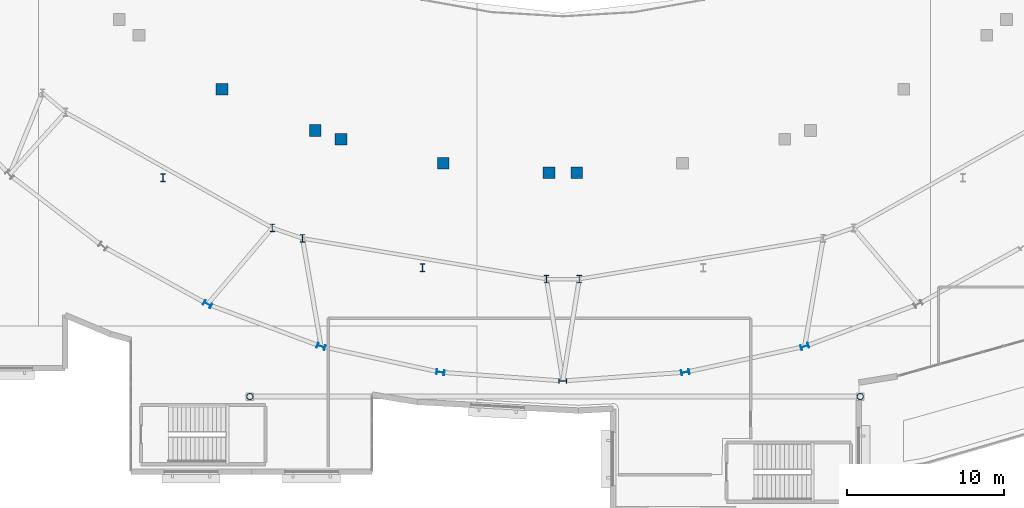
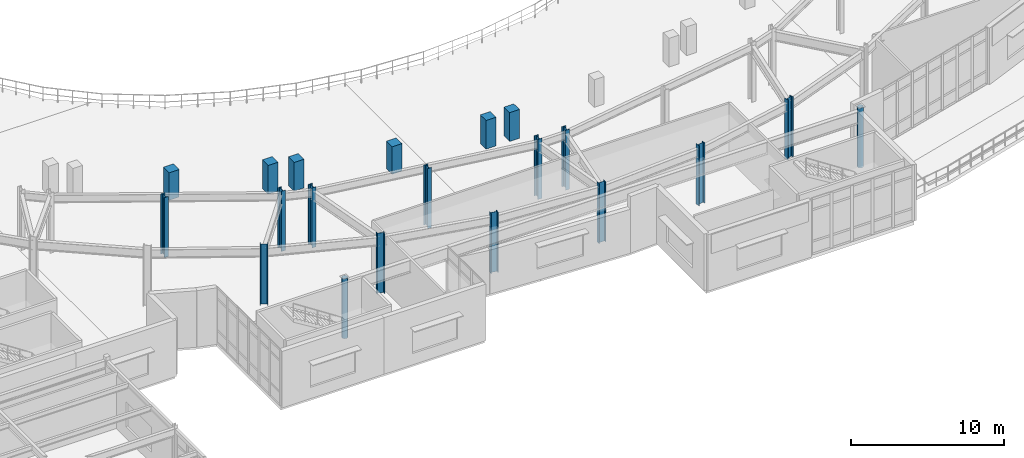
# One storey, part 5 of 84: 20 columns.
"""IFC4 building model written with IfcOpenShell, lengths in metres."""

from ifc_helpers import new_model, si_unit, direction, frame, origin, origin_2d, place, context, subcontext, project, spatial, rectangle, hollow_circle, i_section, extrude, material, material_profile, profile_set, type_object, element, save


model = new_model("IFC4")

# Units and contexts
model_context = context("Model", 3, precision=1e-05, world=origin(), true_north=direction((0.0, 1.0)))
body_context = subcontext(model_context, "Body", "Model", "MODEL_VIEW")
ifc_project = project(units=[si_unit("LENGTHUNIT", "METRE"), si_unit("AREAUNIT", "SQUARE_METRE"), si_unit("VOLUMEUNIT", "CUBIC_METRE"), si_unit("PLANEANGLEUNIT", "RADIAN"), si_unit("MASSUNIT", "GRAM", prefix="KILO")], contexts=[model_context])

# Site, building, storey
site_placement = place(None, origin())
site = spatial("IfcSite", under=ifc_project, at=site_placement, CompositionType="ELEMENT")
building_placement = place(site_placement, origin())
building = spatial("IfcBuilding", under=site, at=building_placement, Name="Glasvene Arena", CompositionType="ELEMENT")
storey_placement = place(building_placement, frame((0.0, 0.0, 10.199951171875)))
storey = spatial("IfcBuildingStorey", under=building, at=storey_placement, Name="L02", CompositionType="ELEMENT", Elevation=10.199951171875)

# Columns
ifc_material_1 = material(Name="Concrete C40/50", Category="concrete")
ifc_material_profile_1 = material_profile(ifc_material_1, rectangle(XDim=0.75, YDim=0.75, at=origin_2d()), Name="RC 750x750")
ifc_profile_set_1 = profile_set([ifc_material_profile_1], Name="Concrete C40/50")
column_type_1 = type_object("IfcColumnType", Name="COL-MID-RC750", PredefinedType="COLUMN", material=ifc_profile_set_1)
for number, where, z_axis, x_axis, name in (
    (1, (76.180908203125, 43.995849609375, 0.0), (0.0, 0.0, 1.0), (1.0, 0.0, 0.0), "Mid-bowl fulcrum column L02 11-2"),
    (2, (77.82421875, 43.4453125, 0.0), (0.0, 0.0, 1.0), (1.0, 0.0, 0.0), "Mid-bowl fulcrum column L02 12-1"),
    (3, (91.110595703125, 41.30810546875, 0.0), (0.0, 0.0, 1.0), (1.0, 0.0, 0.0), "Mid-bowl fulcrum column L02 12-2"),
    (4, (92.889404296875, 41.30810546875, 0.0), (0.0, 0.0, 1.0), (1.0, 0.0, 0.0), "Mid-bowl fulcrum column L02 13-1"),
):
    element("IfcColumn", number, at=place(storey_placement, frame(where, z_axis=z_axis, x_axis=x_axis)), inside=storey, type_object=column_type_1, Name=name, PredefinedType="COLUMN", context=body_context, shape_type="SweptSolid", body=[
        extrude(rectangle(XDim=0.75, YDim=0.75, at=origin_2d()), origin(), (0.0, 0.0, 1.0), 2.300048828125),
    ])
for number, where, z_axis, x_axis, name in (
    (5, (70.2216796875, 46.642333984375, 0.0), (0.0, 0.0, 1.0), (1.0, 0.0, 0.0), "Mid-sector fulcrum column L02 11"),
    (6, (84.3525390625, 41.9091796875, 0.0), (0.0, 0.0, 1.0), (1.0, 0.0, 0.0), "Mid-sector fulcrum column L02 12"),
):
    element("IfcColumn", number, at=place(storey_placement, frame(where, z_axis=z_axis, x_axis=x_axis)), inside=storey, type_object=column_type_1, Name=name, PredefinedType="COLUMN", context=body_context, shape_type="SweptSolid", body=[
        extrude(rectangle(XDim=0.75, YDim=0.75, at=origin_2d()), origin(), (0.0, 0.0, 1.0), 2.199951171875),
    ])
ifc_material_2 = material(Name="Steel S355J2", Category="steel")
ifc_material_profile_2 = material_profile(ifc_material_2, i_section(OverallWidth=0.305908203125, OverallDepth=0.52392578125, WebThickness=0.02099609375, FlangeThickness=0.0400390625, FilletRadius=0.027099609375, at=origin_2d()), Name="HEM 500")
ifc_profile_set_2 = profile_set([ifc_material_profile_2], Name="Steel S355J2")
column_type_2 = type_object("IfcColumnType", Name="COL-RING-HEM500", PredefinedType="COLUMN", material=ifc_profile_set_2)
for number, where, z_axis, x_axis, name in (
    (7, (69.300537109375, 32.90478515625, 0.0), (0.0, 0.0, 1.0), (-0.492727341548, -0.87018375467, 0.0), "Bowl ring column R28 L02"),
    (8, (76.54931640625, 30.202392578125, 0.0), (0.0, 0.0, 1.0), (-0.339558864524, -0.94058480613, 0.0), "Bowl ring column R29 L02"),
    (9, (84.17822265625, 28.553955078125, 0.0), (0.0, 0.0, 1.0), (-0.173304404339, -0.984868307662, 0.0), "Bowl ring column R30 L02"),
    (10, (92.0, 28.0, 0.0), (0.0, 0.0, 1.0), (0.0, -1.0, 0.0), "Bowl ring column R31 L02"),
    (11, (99.82177734375, 28.553955078125, 0.0), (0.0, 0.0, 1.0), (0.173304404339, -0.984868307662, 0.0), "Bowl ring column R32 L02"),
    (12, (107.45068359375, 30.202392578125, 0.0), (0.0, 0.0, 1.0), (0.339558864524, -0.94058480613, 0.0), "Bowl ring column R33 L02"),
):
    element("IfcColumn", number, at=place(storey_placement, frame(where, z_axis=z_axis, x_axis=x_axis)), inside=storey, type_object=column_type_2, Name=name, PredefinedType="COLUMN", context=body_context, shape_type="SweptSolid", body=[
        extrude(i_section(OverallWidth=0.305908203125, OverallDepth=0.52392578125, WebThickness=0.02099609375, FlangeThickness=0.0400390625, FilletRadius=0.027099609375, at=origin_2d()), origin(), (0.0, 0.0, 1.0), 4.800048828125),
    ])
ifc_material_profile_3 = material_profile(ifc_material_2, hollow_circle(Radius=0.203125, WallThickness=0.01611328125, at=origin_2d()), Name="CHS 406.4x16.0")
ifc_profile_set_3 = profile_set([ifc_material_profile_3], Name="Steel S355J2")
column_type_3 = type_object("IfcColumnType", Name="COL-W-CHS406", PredefinedType="COLUMN", material=ifc_profile_set_3)
for number, where, z_axis, x_axis, name in (
    (13, (72.0, 27.0, 0.0), (0.0, 0.0, 1.0), (1.0, 0.0, 0.0), "Grid column 9-4 L02"),
    (14, (111.0, 27.0, 0.0), (0.0, 0.0, 1.0), (1.0, 0.0, 0.0), "Grid column 13-4 L02"),
):
    element("IfcColumn", number, at=place(storey_placement, frame(where, z_axis=z_axis, x_axis=x_axis)), inside=storey, type_object=column_type_3, Name=name, PredefinedType="COLUMN", context=body_context, shape_type="SweptSolid", body=[
        extrude(hollow_circle(Radius=0.203125, WallThickness=0.01611328125, at=origin_2d()), origin(), (0.0, 0.0, 1.0), 4.800048828125),
    ])
ifc_material_profile_4 = material_profile(ifc_material_2, i_section(OverallWidth=0.300048828125, OverallDepth=0.5, WebThickness=0.014404296875, FlangeThickness=0.028076171875, FilletRadius=0.027099609375, at=origin_2d()), Name="HEB 500")
ifc_profile_set_4 = profile_set([ifc_material_profile_4], Name="Steel S355J2")
column_type_4 = type_object("IfcColumnType", Name="COL-W-HEB500", PredefinedType="COLUMN", material=ifc_profile_set_4)
for number, where, z_axis, x_axis, name in (
    (15, (73.43701171875, 37.774169921875, 0.0), (0.0, 0.0, 1.0), (1.0, 0.0, 0.0), "Upper raker rear column L02 11-2"),
    (16, (75.365234375, 37.10546875, 0.0), (0.0, 0.0, 1.0), (1.0, 0.0, 0.0), "Upper raker rear column L02 12-1"),
    (17, (90.956298828125, 34.510009765625, 0.0), (0.0, 0.0, 1.0), (1.0, 0.0, 0.0), "Upper raker rear column L02 12-2"),
    (18, (93.043701171875, 34.510009765625, 0.0), (0.0, 0.0, 1.0), (1.0, 0.0, 0.0), "Upper raker rear column L02 13-1"),
    (19, (66.44384765625, 40.98828125, 0.0), (0.0, 0.0, 1.0), (1.0, 0.0, 0.0), "Mid-sector rear raker column L02 11"),
    (20, (83.02587890625, 35.23974609375, 0.0), (0.0, 0.0, 1.0), (1.0, 0.0, 0.0), "Mid-sector rear raker column L02 12"),
):
    element("IfcColumn", number, at=place(storey_placement, frame(where, z_axis=z_axis, x_axis=x_axis)), inside=storey, type_object=column_type_4, Name=name, PredefinedType="COLUMN", context=body_context, shape_type="SweptSolid", body=[
        extrude(i_section(OverallWidth=0.300048828125, OverallDepth=0.5, WebThickness=0.014404296875, FlangeThickness=0.028076171875, FilletRadius=0.027099609375, at=origin_2d()), origin(), (0.0, 0.0, 1.0), 4.800048828125),
    ])

save(model, "model.ifc")
